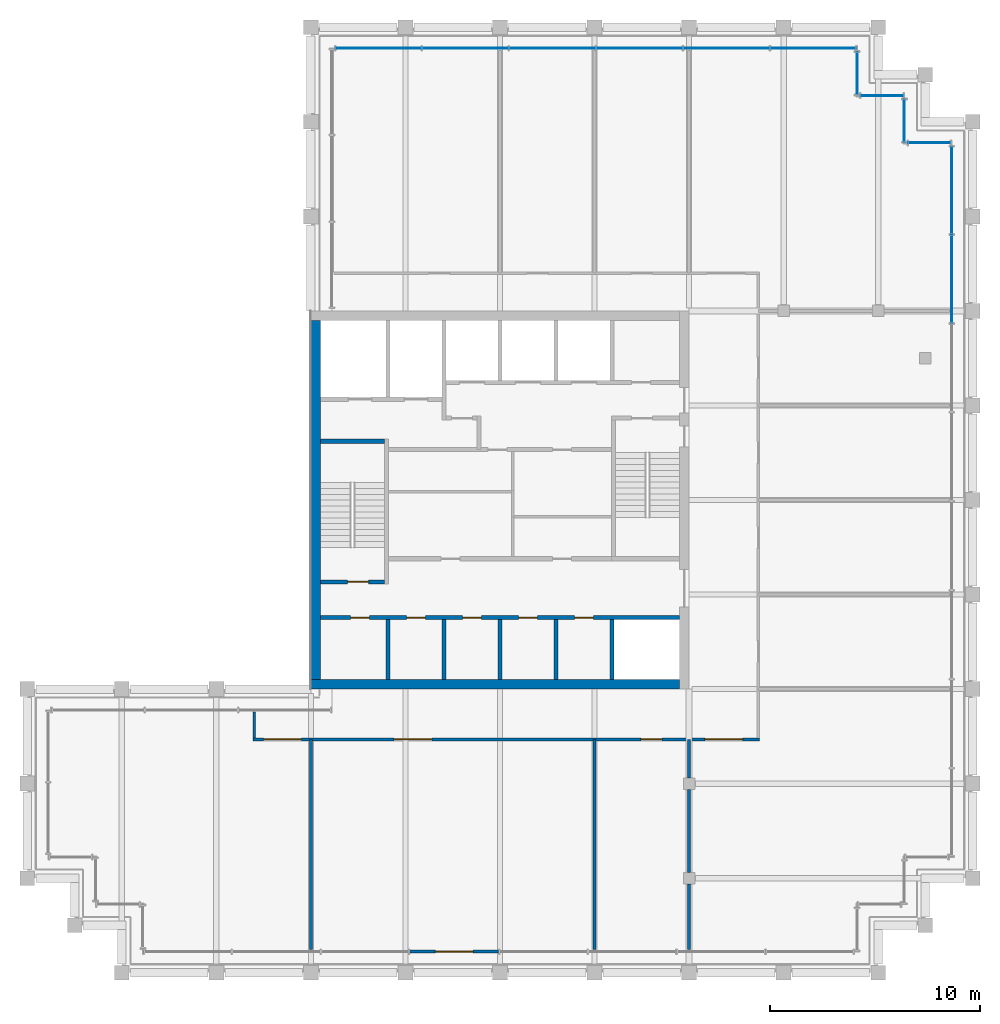
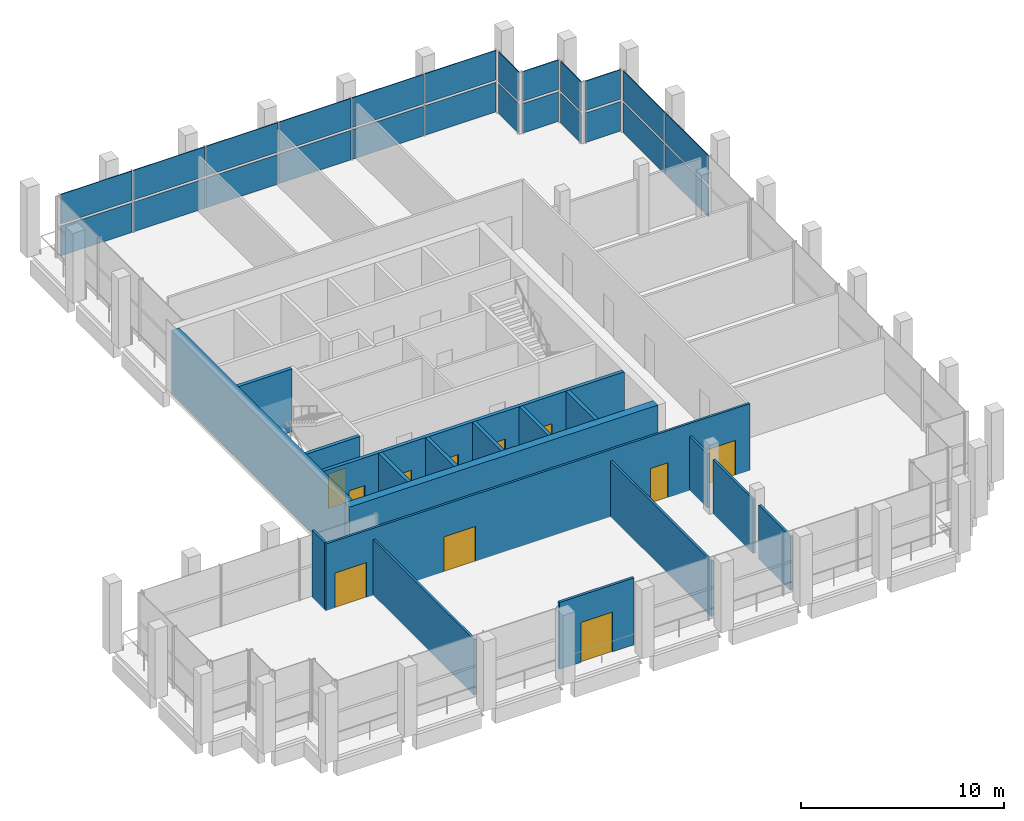
# One storey, part 14 of 17: 24 plates, 18 walls, 11 doors, 11 openings, 6 elements without a shape of their own.
"""IFC4 building model written with IfcOpenShell, lengths in metres."""

from ifc_helpers import new_model, si_unit, direction, frame, frame_2d, origin, origin_2d, place, context, subcontext, project, spatial, rectangle, extrude, material, layer, layer_set, type_object, element, fill, aggregate, save


model = new_model("IFC4")

# Units and contexts
model_context = context("Model", 3, precision=1e-05, world=origin(), true_north=direction((0.0, 1.0)))
body_context = subcontext(model_context, "Body", "Model", "MODEL_VIEW")
ifc_project = project(units=[si_unit("LENGTHUNIT", "METRE"), si_unit("AREAUNIT", "SQUARE_METRE"), si_unit("VOLUMEUNIT", "CUBIC_METRE"), si_unit("PLANEANGLEUNIT", "RADIAN"), si_unit("MASSUNIT", "GRAM", prefix="KILO")], contexts=[model_context])

# Site, building, storey
site_placement = place(None, origin())
site = spatial("IfcSite", under=ifc_project, at=site_placement, CompositionType="ELEMENT")
building_placement = place(site_placement, origin())
building = spatial("IfcBuilding", under=site, at=building_placement, Name="Altepetl Exchange Towers", CompositionType="ELEMENT")
storey_placement = place(building_placement, frame((0.0, 0.0, 251.0)))
storey = spatial("IfcBuildingStorey", under=building, at=storey_placement, Name="L64", CompositionType="ELEMENT", Elevation=251.0)

# Curtain wall, plates
ifc_material_1 = material(Name="Aluminium 6063-T6 glazing", Category="aluminium")
curtain_wall_type = type_object("IfcCurtainWallType", Name="Executive flush glazing system", PredefinedType="NOTDEFINED", material=ifc_material_1)
curtain_wall_1_placement = place(storey_placement, origin())
curtain_wall_1 = element("IfcCurtainWall", 1, at=curtain_wall_1_placement, inside=storey, type_object=curtain_wall_type, Name="CW4 run", PredefinedType="NOTDEFINED")
ifc_material_2 = material(Name="Glass 10-24-10 laminated", Category="glass")
ifc_layer_1 = layer(ifc_material_2, 0.0439453125)
ifc_layer_set_1 = layer_set([ifc_layer_1], Name="Glass 10-24-10 laminated")
plate_type = type_object("IfcPlateType", Name="Glass panel 44 laminated", PredefinedType="CURTAIN_PANEL", material=ifc_layer_set_1)
plate_1_placement = place(storey_placement, frame((71.0, 60.0234375, 0.0), z_axis=(0.0, 0.0, 1.0), x_axis=(0.0, 1.0, 0.0)))
plate_1 = element("IfcPlate", 2, at=plate_1_placement, type_object=plate_type, Name="GP3 panel", PredefinedType="CURTAIN_PANEL", context=body_context, shape_type="SweptSolid", body=[
    extrude(rectangle(XDim=4.17431640625, YDim=0.0439453125, at=origin_2d()), origin(), (0.0, 0.0, 1.0), 1.780029296875),
])
plate_2_placement = place(storey_placement, frame((71.0, 60.0234375, 1.919921875), z_axis=(0.0, 0.0, 1.0), x_axis=(0.0, 1.0, 0.0)))
plate_2 = element("IfcPlate", 3, at=plate_2_placement, type_object=plate_type, Name="GP3 panel", PredefinedType="CURTAIN_PANEL", context=body_context, shape_type="SweptSolid", body=[
    extrude(rectangle(XDim=4.17431640625, YDim=0.0439453125, at=origin_2d()), origin(), (0.0, 0.0, 1.0), 1.780029296875),
])
plate_3_placement = place(storey_placement, frame((71.0, 64.242919921875, 0.0), z_axis=(0.0, 0.0, 1.0), x_axis=(0.0, 1.0, 0.0)))
plate_3 = element("IfcPlate", 4, at=plate_3_placement, type_object=plate_type, Name="GP3 panel", PredefinedType="CURTAIN_PANEL", context=body_context, shape_type="SweptSolid", body=[
    extrude(rectangle(XDim=4.144287109375, YDim=0.0439453125, at=origin_2d()), origin(), (0.0, 0.0, 1.0), 1.780029296875),
])
plate_4_placement = place(storey_placement, frame((71.0, 64.242919921875, 1.919921875), z_axis=(0.0, 0.0, 1.0), x_axis=(0.0, 1.0, 0.0)))
plate_4 = element("IfcPlate", 5, at=plate_4_placement, type_object=plate_type, Name="GP3 panel", PredefinedType="CURTAIN_PANEL", context=body_context, shape_type="SweptSolid", body=[
    extrude(rectangle(XDim=4.144287109375, YDim=0.0439453125, at=origin_2d()), origin(), (0.0, 0.0, 1.0), 1.780029296875),
])
aggregate(curtain_wall_1, [plate_1, plate_2, plate_3, plate_4])

curtain_wall_2_placement = place(storey_placement, origin())
curtain_wall_2 = element("IfcCurtainWall", 6, at=curtain_wall_2_placement, inside=storey, type_object=curtain_wall_type, Name="CW4 run", PredefinedType="NOTDEFINED")
plate_5_placement = place(storey_placement, frame((69.9375, 66.5, 0.0), z_axis=(0.0, 0.0, 1.0), x_axis=(-1.0, 0.0, 0.0)))
plate_5 = element("IfcPlate", 7, at=plate_5_placement, type_object=plate_type, Name="GP3 panel", PredefinedType="CURTAIN_PANEL", context=body_context, shape_type="SweptSolid", body=[
    extrude(rectangle(XDim=2.0048828125, YDim=0.0439453125, at=origin_2d()), origin(), (0.0, 0.0, 1.0), 1.780029296875),
])
plate_6_placement = place(storey_placement, frame((69.9375, 66.5, 1.919921875), z_axis=(0.0, 0.0, 1.0), x_axis=(-1.0, 0.0, 0.0)))
plate_6 = element("IfcPlate", 8, at=plate_6_placement, type_object=plate_type, Name="GP3 panel", PredefinedType="CURTAIN_PANEL", context=body_context, shape_type="SweptSolid", body=[
    extrude(rectangle(XDim=2.0048828125, YDim=0.0439453125, at=origin_2d()), origin(), (0.0, 0.0, 1.0), 1.780029296875),
])
aggregate(curtain_wall_2, [plate_5, plate_6])

curtain_wall_3_placement = place(storey_placement, origin())
curtain_wall_3 = element("IfcCurtainWall", 9, at=curtain_wall_3_placement, inside=storey, type_object=curtain_wall_type, Name="CW4 run", PredefinedType="NOTDEFINED")
plate_7_placement = place(storey_placement, frame((68.75, 67.5625, 0.0), z_axis=(0.0, 0.0, 1.0), x_axis=(0.0, 1.0, 0.0)))
plate_7 = element("IfcPlate", 10, at=plate_7_placement, type_object=plate_type, Name="GP3 panel", PredefinedType="CURTAIN_PANEL", context=body_context, shape_type="SweptSolid", body=[
    extrude(rectangle(XDim=2.0048828125, YDim=0.0439453125, at=origin_2d()), origin(), (0.0, 0.0, 1.0), 1.780029296875),
])
plate_8_placement = place(storey_placement, frame((68.75, 67.5625, 1.919921875), z_axis=(0.0, 0.0, 1.0), x_axis=(0.0, 1.0, 0.0)))
plate_8 = element("IfcPlate", 11, at=plate_8_placement, type_object=plate_type, Name="GP3 panel", PredefinedType="CURTAIN_PANEL", context=body_context, shape_type="SweptSolid", body=[
    extrude(rectangle(XDim=2.0048828125, YDim=0.0439453125, at=origin_2d()), origin(), (0.0, 0.0, 1.0), 1.780029296875),
])
aggregate(curtain_wall_3, [plate_7, plate_8])

curtain_wall_4_placement = place(storey_placement, origin())
curtain_wall_4 = element("IfcCurtainWall", 12, at=curtain_wall_4_placement, inside=storey, type_object=curtain_wall_type, Name="CW4 run", PredefinedType="NOTDEFINED")
plate_9_placement = place(storey_placement, frame((67.6875, 68.75, 0.0), z_axis=(0.0, 0.0, 1.0), x_axis=(-1.0, 0.0, 0.0)))
plate_9 = element("IfcPlate", 13, at=plate_9_placement, type_object=plate_type, Name="GP3 panel", PredefinedType="CURTAIN_PANEL", context=body_context, shape_type="SweptSolid", body=[
    extrude(rectangle(XDim=2.0048828125, YDim=0.0439453125, at=origin_2d()), origin(), (0.0, 0.0, 1.0), 1.780029296875),
])
plate_10_placement = place(storey_placement, frame((67.6875, 68.75, 1.919921875), z_axis=(0.0, 0.0, 1.0), x_axis=(-1.0, 0.0, 0.0)))
plate_10 = element("IfcPlate", 14, at=plate_10_placement, type_object=plate_type, Name="GP3 panel", PredefinedType="CURTAIN_PANEL", context=body_context, shape_type="SweptSolid", body=[
    extrude(rectangle(XDim=2.0048828125, YDim=0.0439453125, at=origin_2d()), origin(), (0.0, 0.0, 1.0), 1.780029296875),
])
aggregate(curtain_wall_4, [plate_9, plate_10])

curtain_wall_5_placement = place(storey_placement, origin())
curtain_wall_5 = element("IfcCurtainWall", 15, at=curtain_wall_5_placement, inside=storey, type_object=curtain_wall_type, Name="CW4 run", PredefinedType="NOTDEFINED")
plate_11_placement = place(storey_placement, frame((66.5, 69.8125, 0.0), z_axis=(0.0, 0.0, 1.0), x_axis=(0.0, 1.0, 0.0)))
plate_11 = element("IfcPlate", 16, at=plate_11_placement, type_object=plate_type, Name="GP3 panel", PredefinedType="CURTAIN_PANEL", context=body_context, shape_type="SweptSolid", body=[
    extrude(rectangle(XDim=2.0048828125, YDim=0.0439453125, at=origin_2d()), origin(), (0.0, 0.0, 1.0), 1.780029296875),
])
plate_12_placement = place(storey_placement, frame((66.5, 69.8125, 1.919921875), z_axis=(0.0, 0.0, 1.0), x_axis=(0.0, 1.0, 0.0)))
plate_12 = element("IfcPlate", 17, at=plate_12_placement, type_object=plate_type, Name="GP3 panel", PredefinedType="CURTAIN_PANEL", context=body_context, shape_type="SweptSolid", body=[
    extrude(rectangle(XDim=2.0048828125, YDim=0.0439453125, at=origin_2d()), origin(), (0.0, 0.0, 1.0), 1.780029296875),
])
aggregate(curtain_wall_5, [plate_11, plate_12])

curtain_wall_6_placement = place(storey_placement, origin())
curtain_wall_6 = element("IfcCurtainWall", 18, at=curtain_wall_6_placement, inside=storey, type_object=curtain_wall_type, Name="CW4 run", PredefinedType="NOTDEFINED")
plate_13_placement = place(storey_placement, frame((64.412109375, 71.0, 0.0), z_axis=(0.0, 0.0, 1.0), x_axis=(-1.0, 0.0, 0.0)))
plate_13 = element("IfcPlate", 19, at=plate_13_placement, type_object=plate_type, Name="GP3 panel", PredefinedType="CURTAIN_PANEL", context=body_context, shape_type="SweptSolid", body=[
    extrude(rectangle(XDim=4.055908203125, YDim=0.0439453125, at=origin_2d()), origin(), (0.0, 0.0, 1.0), 1.780029296875),
])
plate_14_placement = place(storey_placement, frame((64.412109375, 71.0, 1.919921875), z_axis=(0.0, 0.0, 1.0), x_axis=(-1.0, 0.0, 0.0)))
plate_14 = element("IfcPlate", 20, at=plate_14_placement, type_object=plate_type, Name="GP3 panel", PredefinedType="CURTAIN_PANEL", context=body_context, shape_type="SweptSolid", body=[
    extrude(rectangle(XDim=4.055908203125, YDim=0.0439453125, at=origin_2d()), origin(), (0.0, 0.0, 1.0), 1.780029296875),
])
plate_15_placement = place(storey_placement, frame((60.28125, 71.0, 0.0), z_axis=(0.0, 0.0, 1.0), x_axis=(-1.0, 0.0, 0.0)))
plate_15 = element("IfcPlate", 21, at=plate_15_placement, type_object=plate_type, Name="GP3 panel", PredefinedType="CURTAIN_PANEL", context=body_context, shape_type="SweptSolid", body=[
    extrude(rectangle(XDim=4.0859375, YDim=0.0439453125, at=origin_2d()), origin(), (0.0, 0.0, 1.0), 1.780029296875),
])
plate_16_placement = place(storey_placement, frame((60.28125, 71.0, 1.919921875), z_axis=(0.0, 0.0, 1.0), x_axis=(-1.0, 0.0, 0.0)))
plate_16 = element("IfcPlate", 22, at=plate_16_placement, type_object=plate_type, Name="GP3 panel", PredefinedType="CURTAIN_PANEL", context=body_context, shape_type="SweptSolid", body=[
    extrude(rectangle(XDim=4.0859375, YDim=0.0439453125, at=origin_2d()), origin(), (0.0, 0.0, 1.0), 1.780029296875),
])
plate_17_placement = place(storey_placement, frame((56.135498046875, 71.0, 0.0), z_axis=(0.0, 0.0, 1.0), x_axis=(-1.0, 0.0, 0.0)))
plate_17 = element("IfcPlate", 23, at=plate_17_placement, type_object=plate_type, Name="GP3 panel", PredefinedType="CURTAIN_PANEL", context=body_context, shape_type="SweptSolid", body=[
    extrude(rectangle(XDim=4.0859375, YDim=0.0439453125, at=origin_2d()), origin(), (0.0, 0.0, 1.0), 1.780029296875),
])
plate_18_placement = place(storey_placement, frame((56.135498046875, 71.0, 1.919921875), z_axis=(0.0, 0.0, 1.0), x_axis=(-1.0, 0.0, 0.0)))
plate_18 = element("IfcPlate", 24, at=plate_18_placement, type_object=plate_type, Name="GP3 panel", PredefinedType="CURTAIN_PANEL", context=body_context, shape_type="SweptSolid", body=[
    extrude(rectangle(XDim=4.0859375, YDim=0.0439453125, at=origin_2d()), origin(), (0.0, 0.0, 1.0), 1.780029296875),
])
plate_19_placement = place(storey_placement, frame((51.989501953125, 71.0, 0.0), z_axis=(0.0, 0.0, 1.0), x_axis=(-1.0, 0.0, 0.0)))
plate_19 = element("IfcPlate", 25, at=plate_19_placement, type_object=plate_type, Name="GP3 panel", PredefinedType="CURTAIN_PANEL", context=body_context, shape_type="SweptSolid", body=[
    extrude(rectangle(XDim=4.0859375, YDim=0.0439453125, at=origin_2d()), origin(), (0.0, 0.0, 1.0), 1.780029296875),
])
plate_20_placement = place(storey_placement, frame((51.989501953125, 71.0, 1.919921875), z_axis=(0.0, 0.0, 1.0), x_axis=(-1.0, 0.0, 0.0)))
plate_20 = element("IfcPlate", 26, at=plate_20_placement, type_object=plate_type, Name="GP3 panel", PredefinedType="CURTAIN_PANEL", context=body_context, shape_type="SweptSolid", body=[
    extrude(rectangle(XDim=4.0859375, YDim=0.0439453125, at=origin_2d()), origin(), (0.0, 0.0, 1.0), 1.780029296875),
])
plate_21_placement = place(storey_placement, frame((47.84375, 71.0, 0.0), z_axis=(0.0, 0.0, 1.0), x_axis=(-1.0, 0.0, 0.0)))
plate_21 = element("IfcPlate", 27, at=plate_21_placement, type_object=plate_type, Name="GP3 panel", PredefinedType="CURTAIN_PANEL", context=body_context, shape_type="SweptSolid", body=[
    extrude(rectangle(XDim=4.0859375, YDim=0.0439453125, at=origin_2d()), origin(), (0.0, 0.0, 1.0), 1.780029296875),
])
plate_22_placement = place(storey_placement, frame((47.84375, 71.0, 1.919921875), z_axis=(0.0, 0.0, 1.0), x_axis=(-1.0, 0.0, 0.0)))
plate_22 = element("IfcPlate", 28, at=plate_22_placement, type_object=plate_type, Name="GP3 panel", PredefinedType="CURTAIN_PANEL", context=body_context, shape_type="SweptSolid", body=[
    extrude(rectangle(XDim=4.0859375, YDim=0.0439453125, at=origin_2d()), origin(), (0.0, 0.0, 1.0), 1.780029296875),
])
plate_23_placement = place(storey_placement, frame((43.712890625, 71.0, 0.0), z_axis=(0.0, 0.0, 1.0), x_axis=(-1.0, 0.0, 0.0)))
plate_23 = element("IfcPlate", 29, at=plate_23_placement, type_object=plate_type, Name="GP3 panel", PredefinedType="CURTAIN_PANEL", context=body_context, shape_type="SweptSolid", body=[
    extrude(rectangle(XDim=4.055908203125, YDim=0.0439453125, at=origin_2d()), origin(), (0.0, 0.0, 1.0), 1.780029296875),
])
plate_24_placement = place(storey_placement, frame((43.712890625, 71.0, 1.919921875), z_axis=(0.0, 0.0, 1.0), x_axis=(-1.0, 0.0, 0.0)))
plate_24 = element("IfcPlate", 30, at=plate_24_placement, type_object=plate_type, Name="GP3 panel", PredefinedType="CURTAIN_PANEL", context=body_context, shape_type="SweptSolid", body=[
    extrude(rectangle(XDim=4.055908203125, YDim=0.0439453125, at=origin_2d()), origin(), (0.0, 0.0, 1.0), 1.780029296875),
])
aggregate(curtain_wall_6, [plate_13, plate_14, plate_15, plate_16, plate_17, plate_18, plate_19, plate_20, plate_21, plate_22, plate_23, plate_24])

# Walls
ifc_material_3 = material(Name="Concrete C70/85", Category="concrete")
ifc_layer_2 = layer(ifc_material_3, 0.449951171875)
ifc_layer_set_2 = layer_set([ifc_layer_2], Name="Concrete C70/85")
wall_type_1 = type_object("IfcWallType", Name="Core wall 450 reinforced concrete", PredefinedType="SHEAR", material=ifc_layer_set_2)
wall_1_placement = place(storey_placement, frame((40.5, 40.72509765625, 0.0)))
element("IfcWall", 31, at=wall_1_placement, inside=storey, type_object=wall_type_1, Name="wall:A:L64:K-coreS", PredefinedType="SHEAR", context=body_context, shape_type="SweptSolid", body=[
    extrude(rectangle(XDim=17.550048828125, YDim=0.449951171875, at=frame_2d((8.77490234375, 0.0))), origin(), (0.0, 0.0, 1.0), 3.780029296875),
])
ifc_layer_3 = layer(ifc_material_3, 0.449951171875)
ifc_layer_set_3 = layer_set([ifc_layer_3], Name="Concrete C70/85")
wall_type_2 = type_object("IfcWallType", Name="Core wall 450 reinforced concrete external", PredefinedType="SHEAR", material=ifc_layer_set_3)
wall_2_placement = place(storey_placement, frame((40.72509765625, 40.949951171875, 0.0), z_axis=(0.0, 0.0, 1.0), x_axis=(0.0, 1.0, 0.0)))
element("IfcWall", 32, at=wall_2_placement, inside=storey, type_object=wall_type_2, Name="wall:A:L64:K-coreW", PredefinedType="SHEAR", context=body_context, shape_type="SweptSolid", body=[
    extrude(rectangle(XDim=17.10009765625, YDim=0.449951171875, at=frame_2d((8.550048828125, 0.0))), origin(), (0.0, 0.0, 1.0), 3.780029296875),
])

# Wall, opening, door
ifc_material_4 = material(Name="Aluminium composite cladding", Category="aluminium")
ifc_layer_4 = layer(ifc_material_4, 0.14990234375)
ifc_layer_set_4 = layer_set([ifc_layer_4], Name="Aluminium composite cladding")
wall_type_3 = type_object("IfcWallType", Name="Infill wall 150 aluminium panel", PredefinedType="SOLIDWALL", material=ifc_layer_set_4)
wall_3_placement = place(storey_placement, frame((45.203125, 28.0, 0.0)))
wall_3 = element("IfcWall", 33, at=wall_3_placement, inside=storey, type_object=wall_type_3, Name="Loggia door bay wall", PredefinedType="SOLIDWALL", context=body_context, shape_type="SweptSolid", body=[
    extrude(rectangle(XDim=4.234375, YDim=0.14990234375, at=frame_2d((2.1171875, 0.0))), origin(), (0.0, 0.0, 1.0), 4.02490234375),
])
opening_1_placement = place(wall_3_placement, frame((1.21728515625, 0.0, 0.0)))
opening_1 = element("IfcOpeningElement", 34, at=opening_1_placement, cuts=wall_3, Name="Opening L64.A90", PredefinedType="OPENING", context=body_context, shape_type="SweptSolid", body=[
    extrude(rectangle(XDim=1.800048828125, YDim=2.39990234375, at=frame_2d((0.89990234375, 1.199951171875))), frame((0.0, 0.0849609375, 0.0), z_axis=(0.0, -1.0, 0.0), x_axis=(1.0, 0.0, 0.0)), (0.0, 0.0, 1.0), 0.169921875),
])
ifc_material_5 = material(Name="Aluminium 6063-T6 and glass", Category="aluminium")
door_type_1 = type_object("IfcDoorType", Name="Glazed door pair 1800x2400", OperationType="DOUBLE_DOOR_DOUBLE_SWING", PredefinedType="NOTDEFINED", material=ifc_material_5)
door_1_placement = place(opening_1_placement, frame((1.800048828125, 0.0, 0.0), x_axis=(-1.0, 0.0, 0.0)))
door_1 = element("IfcDoor", 35, at=door_1_placement, inside=storey, type_object=door_type_1, Name="Loggia door", OperationType="DOUBLE_DOOR_DOUBLE_SWING", OverallHeight=2.39990234375, OverallWidth=1.800048828125, PredefinedType="NOTDEFINED", context=body_context, shape_type="SweptSolid", body=[
    extrude(rectangle(XDim=1.800048828125, YDim=2.39990234375, at=frame_2d((0.89990234375, 1.199951171875))), frame((0.0, 0.02490234375, 0.0), z_axis=(0.0, -1.0, 0.0), x_axis=(1.0, 0.0, 0.0)), (0.0, 0.0, 1.0), 0.050048828125),
])
fill(opening_1, door_1)

# Wall, openings, doors
ifc_material_6 = material(Name="Gypsum board on steel studs", Category="steel")
ifc_layer_5 = layer(ifc_material_6, 0.125)
ifc_layer_set_5 = layer_set([ifc_layer_5], Name="Gypsum board on steel studs")
wall_type_4 = type_object("IfcWallType", Name="Partition 125 gypsum board on steel studs", PredefinedType="PARTITIONING", material=ifc_layer_set_5)
wall_4_placement = place(storey_placement, frame((37.737548828125, 38.10009765625, 0.0)))
wall_4 = element("IfcWall", 36, at=wall_4_placement, inside=storey, type_object=wall_type_4, Name="wall:A:L64:P01", PredefinedType="PARTITIONING", context=body_context, shape_type="SweptSolid", body=[
    extrude(rectangle(XDim=24.125, YDim=0.125, at=frame_2d((12.0625, 0.0))), origin(), (0.0, 0.0, 1.0), 4.02490234375),
])
opening_2_placement = place(wall_4_placement, frame((0.512451171875, 0.0, 0.0)))
opening_2 = element("IfcOpeningElement", 37, at=opening_2_placement, cuts=wall_4, Name="Opening L64.A01", PredefinedType="OPENING", context=body_context, shape_type="SweptSolid", body=[
    extrude(rectangle(XDim=1.800048828125, YDim=2.10009765625, at=frame_2d((0.89990234375, 1.050048828125))), frame((0.0, 0.072509765625, 0.0), z_axis=(0.0, -1.0, 0.0), x_axis=(1.0, 0.0, 0.0)), (0.0, 0.0, 1.0), 0.14501953125),
])
opening_3_placement = place(wall_4_placement, frame((6.722412109375, 0.0, 0.0)))
opening_3 = element("IfcOpeningElement", 38, at=opening_3_placement, cuts=wall_4, Name="Opening L64.A02", PredefinedType="OPENING", context=body_context, shape_type="SweptSolid", body=[
    extrude(rectangle(XDim=1.800048828125, YDim=2.10009765625, at=frame_2d((0.89990234375, 1.050048828125))), frame((0.0, 0.072509765625, 0.0), z_axis=(0.0, -1.0, 0.0), x_axis=(1.0, 0.0, 0.0)), (0.0, 0.0, 1.0), 0.14501953125),
])
opening_4_placement = place(wall_4_placement, frame((18.467529296875, 0.0, 0.0)))
opening_4 = element("IfcOpeningElement", 39, at=opening_4_placement, cuts=wall_4, Name="Opening L64.A03", PredefinedType="OPENING", context=body_context, shape_type="SweptSolid", body=[
    extrude(rectangle(XDim=1.0, YDim=2.10009765625, at=frame_2d((0.5, 1.050048828125))), frame((0.0, 0.072509765625, 0.0), z_axis=(0.0, -1.0, 0.0), x_axis=(1.0, 0.0, 0.0)), (0.0, 0.0, 1.0), 0.14501953125),
])
opening_5_placement = place(wall_4_placement, frame((21.512451171875, 0.0, 0.0)))
opening_5 = element("IfcOpeningElement", 40, at=opening_5_placement, cuts=wall_4, Name="Opening L64.A04", PredefinedType="OPENING", context=body_context, shape_type="SweptSolid", body=[
    extrude(rectangle(XDim=1.800048828125, YDim=2.10009765625, at=frame_2d((0.89990234375, 1.050048828125))), frame((0.0, 0.072509765625, 0.0), z_axis=(0.0, -1.0, 0.0), x_axis=(1.0, 0.0, 0.0)), (0.0, 0.0, 1.0), 0.14501953125),
])
ifc_material_7 = material(Name="Steel and timber fire door", Category="steel")
door_type_2 = type_object("IfcDoorType", Name="Fire door 1000 x 2100 single leaf", OperationType="SINGLE_SWING_LEFT", PredefinedType="DOOR", material=ifc_material_7)
door_2_placement = place(opening_4_placement, frame((1.0, 0.0, 0.0), x_axis=(-1.0, 0.0, 0.0)))
door_2 = element("IfcDoor", 41, at=door_2_placement, inside=storey, type_object=door_type_2, Name="door:A:L64:03", OperationType="SINGLE_SWING_LEFT", OverallHeight=2.10009765625, OverallWidth=1.0, PredefinedType="DOOR", context=body_context, shape_type="SweptSolid", body=[
    extrude(rectangle(XDim=1.0, YDim=2.10009765625, at=frame_2d((0.5, 1.050048828125))), frame((0.0, 0.02490234375, 0.0), z_axis=(0.0, -1.0, 0.0), x_axis=(1.0, 0.0, 0.0)), (0.0, 0.0, 1.0), 0.050048828125),
])
fill(opening_4, door_2)
door_type_3 = type_object("IfcDoorType", Name="Fire door 1800 x 2100 double leaf", OperationType="DOUBLE_DOOR_SINGLE_SWING", PredefinedType="DOOR", material=ifc_material_7)
door_3_placement = place(opening_2_placement, frame((1.800048828125, 0.0, 0.0), x_axis=(-1.0, 0.0, 0.0)))
door_3 = element("IfcDoor", 42, at=door_3_placement, inside=storey, type_object=door_type_3, Name="door:A:L64:01", OperationType="DOUBLE_DOOR_SINGLE_SWING", OverallHeight=2.10009765625, OverallWidth=1.800048828125, PredefinedType="DOOR", context=body_context, shape_type="SweptSolid", body=[
    extrude(rectangle(XDim=1.800048828125, YDim=2.10009765625, at=frame_2d((0.89990234375, 1.050048828125))), frame((0.0, 0.02490234375, 0.0), z_axis=(0.0, -1.0, 0.0), x_axis=(1.0, 0.0, 0.0)), (0.0, 0.0, 1.0), 0.050048828125),
])
fill(opening_2, door_3)
door_4_placement = place(opening_3_placement, frame((1.800048828125, 0.0, 0.0), x_axis=(-1.0, 0.0, 0.0)))
door_4 = element("IfcDoor", 43, at=door_4_placement, inside=storey, type_object=door_type_3, Name="door:A:L64:02", OperationType="DOUBLE_DOOR_SINGLE_SWING", OverallHeight=2.10009765625, OverallWidth=1.800048828125, PredefinedType="DOOR", context=body_context, shape_type="SweptSolid", body=[
    extrude(rectangle(XDim=1.800048828125, YDim=2.10009765625, at=frame_2d((0.89990234375, 1.050048828125))), frame((0.0, 0.02490234375, 0.0), z_axis=(0.0, -1.0, 0.0), x_axis=(1.0, 0.0, 0.0)), (0.0, 0.0, 1.0), 0.050048828125),
])
fill(opening_3, door_4)
door_5_placement = place(opening_5_placement, frame((1.800048828125, 0.0, 0.0), x_axis=(-1.0, 0.0, 0.0)))
door_5 = element("IfcDoor", 44, at=door_5_placement, inside=storey, type_object=door_type_3, Name="door:A:L64:04", OperationType="DOUBLE_DOOR_SINGLE_SWING", OverallHeight=2.10009765625, OverallWidth=1.800048828125, PredefinedType="DOOR", context=body_context, shape_type="SweptSolid", body=[
    extrude(rectangle(XDim=1.800048828125, YDim=2.10009765625, at=frame_2d((0.89990234375, 1.050048828125))), frame((0.0, 0.02490234375, 0.0), z_axis=(0.0, -1.0, 0.0), x_axis=(1.0, 0.0, 0.0)), (0.0, 0.0, 1.0), 0.050048828125),
])
fill(opening_5, door_5)

# Walls
wall_5_placement = place(storey_placement, frame((37.800048828125, 38.16259765625, 0.0), z_axis=(0.0, 0.0, 1.0), x_axis=(0.0, 1.0, 0.0)))
element("IfcWall", 45, at=wall_5_placement, inside=storey, type_object=wall_type_4, Name="wall:A:L64:P10", PredefinedType="PARTITIONING", context=body_context, shape_type="SweptSolid", body=[
    extrude(rectangle(XDim=1.2373046875, YDim=0.125, at=frame_2d((0.61865234375, 0.0))), origin(), (0.0, 0.0, 1.0), 4.02490234375),
])
for number, where, z_axis, x_axis, name in (
    (46, (40.5, 28.10009765625, 0.0), (0.0, 0.0, 1.0), (0.0, 1.0, 0.0), "wall:A:L64:P11"),
    (47, (54.0, 28.10009765625, 0.0), (0.0, 0.0, 1.0), (0.0, 1.0, 0.0), "wall:A:L64:P13"),
):
    element("IfcWall", number, at=place(storey_placement, frame(where, z_axis=z_axis, x_axis=x_axis)), inside=storey, type_object=wall_type_4, Name=name, PredefinedType="PARTITIONING", context=body_context, shape_type="SweptSolid", body=[
        extrude(rectangle(XDim=10.0, YDim=0.125, at=frame_2d((5.0, 0.0))), origin(), (0.0, 0.0, 1.0), 3.341064453125),
    ])
wall_6_placement = place(storey_placement, frame((58.5, 28.10009765625, 0.0), z_axis=(0.0, 0.0, 1.0), x_axis=(0.0, 1.0, 0.0)))
element("IfcWall", 48, at=wall_6_placement, inside=storey, type_object=wall_type_4, Name="wall:A:L64:P15", PredefinedType="PARTITIONING", context=body_context, shape_type="SweptSolid", body=[
    extrude(rectangle(XDim=3.125, YDim=0.125, at=frame_2d((1.5625, 0.0))), origin(), (0.0, 0.0, 1.0), 3.2509765625),
])
wall_7_placement = place(storey_placement, frame((58.5, 31.77490234375, 0.0), z_axis=(0.0, 0.0, 1.0), x_axis=(0.0, 1.0, 0.0)))
element("IfcWall", 49, at=wall_7_placement, inside=storey, type_object=wall_type_4, Name="wall:A:L64:P16", PredefinedType="PARTITIONING", context=body_context, shape_type="SweptSolid", body=[
    extrude(rectangle(XDim=3.9501953125, YDim=0.125, at=frame_2d((1.97509765625, 0.0))), origin(), (0.0, 0.0, 1.0), 3.2509765625),
])
wall_8_placement = place(storey_placement, frame((58.5, 36.27490234375, 0.0), z_axis=(0.0, 0.0, 1.0), x_axis=(0.0, 1.0, 0.0)))
element("IfcWall", 50, at=wall_8_placement, inside=storey, type_object=wall_type_4, Name="wall:A:L64:P17", PredefinedType="PARTITIONING", context=body_context, shape_type="SweptSolid", body=[
    extrude(rectangle(XDim=1.8251953125, YDim=0.125, at=frame_2d((0.91259765625, 0.0))), origin(), (0.0, 0.0, 1.0), 3.2509765625),
])
ifc_material_8 = material(Name="Concrete C40/50", Category="concrete")
ifc_layer_6 = layer(ifc_material_8, 0.199951171875)
ifc_layer_set_6 = layer_set([ifc_layer_6], Name="Concrete C40/50")
wall_type_5 = type_object("IfcWallType", Name="Shaft wall 200 reinforced concrete", PredefinedType="SHEAR", material=ifc_layer_set_6)
wall_9_placement = place(storey_placement, frame((54.833251953125, 40.949951171875, 0.0), z_axis=(0.0, 0.0, 1.0), x_axis=(0.0, 1.0, 0.0)))
element("IfcWall", 51, at=wall_9_placement, inside=storey, type_object=wall_type_5, Name="wall:A:L64:K-divS5", PredefinedType="SHEAR", context=body_context, shape_type="SweptSolid", body=[
    extrude(rectangle(XDim=2.85009765625, YDim=0.199951171875, at=frame_2d((1.425048828125, 0.0))), origin(), (0.0, 0.0, 1.0), 3.780029296875),
])

# Wall, openings, doors
wall_10_placement = place(storey_placement, frame((40.949951171875, 43.89990234375, 0.0)))
wall_10 = element("IfcWall", 52, at=wall_10_placement, inside=storey, type_object=wall_type_5, Name="wall:A:L64:K-frontS", PredefinedType="SHEAR", context=body_context, shape_type="SweptSolid", body=[
    extrude(rectangle(XDim=17.10009765625, YDim=0.199951171875, at=frame_2d((8.550048828125, 0.0))), origin(), (0.0, 0.0, 1.0), 3.780029296875),
])
opening_6_placement = place(wall_10_placement, frame((1.433349609375, 0.0, 0.0)))
opening_6 = element("IfcOpeningElement", 53, at=opening_6_placement, cuts=wall_10, Name="Opening L64.A67", PredefinedType="OPENING", context=body_context, shape_type="SweptSolid", body=[
    extrude(rectangle(XDim=0.89990234375, YDim=2.10009765625, at=frame_2d((0.449951171875, 1.050048828125))), frame((0.0, 0.10986328125, 0.0), z_axis=(0.0, -1.0, 0.0), x_axis=(1.0, 0.0, 0.0)), (0.0, 0.0, 1.0), 0.219970703125),
])
opening_7_placement = place(wall_10_placement, frame((4.10009765625, 0.0, 0.0)))
opening_7 = element("IfcOpeningElement", 54, at=opening_7_placement, cuts=wall_10, Name="Opening L64.A68", PredefinedType="OPENING", context=body_context, shape_type="SweptSolid", body=[
    extrude(rectangle(XDim=0.89990234375, YDim=2.10009765625, at=frame_2d((0.449951171875, 1.050048828125))), frame((0.0, 0.10986328125, 0.0), z_axis=(0.0, -1.0, 0.0), x_axis=(1.0, 0.0, 0.0)), (0.0, 0.0, 1.0), 0.219970703125),
])
opening_8_placement = place(wall_10_placement, frame((6.7666015625, 0.0, 0.0)))
opening_8 = element("IfcOpeningElement", 55, at=opening_8_placement, cuts=wall_10, Name="Opening L64.A69", PredefinedType="OPENING", context=body_context, shape_type="SweptSolid", body=[
    extrude(rectangle(XDim=0.89990234375, YDim=2.10009765625, at=frame_2d((0.449951171875, 1.050048828125))), frame((0.0, 0.10986328125, 0.0), z_axis=(0.0, -1.0, 0.0), x_axis=(1.0, 0.0, 0.0)), (0.0, 0.0, 1.0), 0.219970703125),
])
opening_9_placement = place(wall_10_placement, frame((9.433349609375, 0.0, 0.0)))
opening_9 = element("IfcOpeningElement", 56, at=opening_9_placement, cuts=wall_10, Name="Opening L64.A70", PredefinedType="OPENING", context=body_context, shape_type="SweptSolid", body=[
    extrude(rectangle(XDim=0.89990234375, YDim=2.10009765625, at=frame_2d((0.449951171875, 1.050048828125))), frame((0.0, 0.10986328125, 0.0), z_axis=(0.0, -1.0, 0.0), x_axis=(1.0, 0.0, 0.0)), (0.0, 0.0, 1.0), 0.219970703125),
])
opening_10_placement = place(wall_10_placement, frame((12.10009765625, 0.0, 0.0)))
opening_10 = element("IfcOpeningElement", 57, at=opening_10_placement, cuts=wall_10, Name="Opening L64.A71", PredefinedType="OPENING", context=body_context, shape_type="SweptSolid", body=[
    extrude(rectangle(XDim=0.89990234375, YDim=2.10009765625, at=frame_2d((0.449951171875, 1.050048828125))), frame((0.0, 0.10986328125, 0.0), z_axis=(0.0, -1.0, 0.0), x_axis=(1.0, 0.0, 0.0)), (0.0, 0.0, 1.0), 0.219970703125),
])
door_type_4 = type_object("IfcDoorType", Name="Fire door 900 x 2100 service room", OperationType="SINGLE_SWING_LEFT", PredefinedType="DOOR", material=ifc_material_7)
door_6_placement = place(opening_6_placement, frame((0.89990234375, 0.0, 0.0), x_axis=(-1.0, 0.0, 0.0)))
door_6 = element("IfcDoor", 58, at=door_6_placement, inside=storey, type_object=door_type_4, Name="door:A:L64:K-dslotS0", OperationType="SINGLE_SWING_LEFT", OverallHeight=2.10009765625, OverallWidth=0.89990234375, PredefinedType="DOOR", context=body_context, shape_type="SweptSolid", body=[
    extrude(rectangle(XDim=0.89990234375, YDim=2.10009765625, at=frame_2d((0.449951171875, 1.050048828125))), frame((0.0, 0.02490234375, 0.0), z_axis=(0.0, -1.0, 0.0), x_axis=(1.0, 0.0, 0.0)), (0.0, 0.0, 1.0), 0.050048828125),
])
fill(opening_6, door_6)
door_7_placement = place(opening_7_placement, frame((0.89990234375, 0.0, 0.0), x_axis=(-1.0, 0.0, 0.0)))
door_7 = element("IfcDoor", 59, at=door_7_placement, inside=storey, type_object=door_type_4, Name="door:A:L64:K-dslotS1", OperationType="SINGLE_SWING_LEFT", OverallHeight=2.10009765625, OverallWidth=0.89990234375, PredefinedType="DOOR", context=body_context, shape_type="SweptSolid", body=[
    extrude(rectangle(XDim=0.89990234375, YDim=2.10009765625, at=frame_2d((0.449951171875, 1.050048828125))), frame((0.0, 0.02490234375, 0.0), z_axis=(0.0, -1.0, 0.0), x_axis=(1.0, 0.0, 0.0)), (0.0, 0.0, 1.0), 0.050048828125),
])
fill(opening_7, door_7)
door_8_placement = place(opening_8_placement, frame((0.89990234375, 0.0, 0.0), x_axis=(-1.0, 0.0, 0.0)))
door_8 = element("IfcDoor", 60, at=door_8_placement, inside=storey, type_object=door_type_4, Name="door:A:L64:K-dslotS2", OperationType="SINGLE_SWING_LEFT", OverallHeight=2.10009765625, OverallWidth=0.89990234375, PredefinedType="DOOR", context=body_context, shape_type="SweptSolid", body=[
    extrude(rectangle(XDim=0.89990234375, YDim=2.10009765625, at=frame_2d((0.449951171875, 1.050048828125))), frame((0.0, 0.02490234375, 0.0), z_axis=(0.0, -1.0, 0.0), x_axis=(1.0, 0.0, 0.0)), (0.0, 0.0, 1.0), 0.050048828125),
])
fill(opening_8, door_8)
door_9_placement = place(opening_9_placement, frame((0.89990234375, 0.0, 0.0), x_axis=(-1.0, 0.0, 0.0)))
door_9 = element("IfcDoor", 61, at=door_9_placement, inside=storey, type_object=door_type_4, Name="door:A:L64:K-dslotS3", OperationType="SINGLE_SWING_LEFT", OverallHeight=2.10009765625, OverallWidth=0.89990234375, PredefinedType="DOOR", context=body_context, shape_type="SweptSolid", body=[
    extrude(rectangle(XDim=0.89990234375, YDim=2.10009765625, at=frame_2d((0.449951171875, 1.050048828125))), frame((0.0, 0.02490234375, 0.0), z_axis=(0.0, -1.0, 0.0), x_axis=(1.0, 0.0, 0.0)), (0.0, 0.0, 1.0), 0.050048828125),
])
fill(opening_9, door_9)
door_10_placement = place(opening_10_placement, frame((0.89990234375, 0.0, 0.0), x_axis=(-1.0, 0.0, 0.0)))
door_10 = element("IfcDoor", 62, at=door_10_placement, inside=storey, type_object=door_type_4, Name="door:A:L64:K-dslotS4", OperationType="SINGLE_SWING_LEFT", OverallHeight=2.10009765625, OverallWidth=0.89990234375, PredefinedType="DOOR", context=body_context, shape_type="SweptSolid", body=[
    extrude(rectangle(XDim=0.89990234375, YDim=2.10009765625, at=frame_2d((0.449951171875, 1.050048828125))), frame((0.0, 0.02490234375, 0.0), z_axis=(0.0, -1.0, 0.0), x_axis=(1.0, 0.0, 0.0)), (0.0, 0.0, 1.0), 0.050048828125),
])
fill(opening_10, door_10)

# Walls
ifc_layer_7 = layer(ifc_material_3, 0.199951171875)
ifc_layer_set_7 = layer_set([ifc_layer_7], Name="Concrete C70/85")
wall_type_6 = type_object("IfcWallType", Name="Shear wall 200 reinforced concrete", PredefinedType="SHEAR", material=ifc_layer_set_7)
for number, where, z_axis, x_axis, name in (
    (63, (44.166748046875, 40.949951171875, 0.0), (0.0, 0.0, 1.0), (0.0, 1.0, 0.0), "wall:A:L64:K-divS1"),
    (64, (46.833251953125, 40.949951171875, 0.0), (0.0, 0.0, 1.0), (0.0, 1.0, 0.0), "wall:A:L64:K-divS2"),
    (65, (49.5, 40.949951171875, 0.0), (0.0, 0.0, 1.0), (0.0, 1.0, 0.0), "wall:A:L64:K-divS3"),
    (66, (52.166748046875, 40.949951171875, 0.0), (0.0, 0.0, 1.0), (0.0, 1.0, 0.0), "wall:A:L64:K-divS4"),
):
    element("IfcWall", number, at=place(storey_placement, frame(where, z_axis=z_axis, x_axis=x_axis)), inside=storey, type_object=wall_type_6, Name=name, PredefinedType="SHEAR", context=body_context, shape_type="SweptSolid", body=[
        extrude(rectangle(XDim=2.85009765625, YDim=0.199951171875, at=frame_2d((1.425048828125, 0.0))), origin(), (0.0, 0.0, 1.0), 3.780029296875),
    ])
ifc_layer_8 = layer(ifc_material_8, 0.199951171875)
ifc_layer_set_8 = layer_set([ifc_layer_8], Name="Concrete C40/50")
wall_type_7 = type_object("IfcWallType", Name="Stair wall 200 reinforced concrete", PredefinedType="SHEAR", material=ifc_layer_set_8)
wall_11_placement = place(storey_placement, frame((40.949951171875, 52.300048828125, 0.0)))
element("IfcWall", 67, at=wall_11_placement, inside=storey, type_object=wall_type_7, Name="wall:A:L64:K-stS1N", PredefinedType="SHEAR", context=body_context, shape_type="SweptSolid", body=[
    extrude(rectangle(XDim=3.050048828125, YDim=0.199951171875, at=frame_2d((1.52490234375, 0.0))), origin(), (0.0, 0.0, 1.0), 3.780029296875),
])

# Wall, opening, door
wall_12_placement = place(storey_placement, frame((40.949951171875, 45.60009765625, 0.0)))
wall_12 = element("IfcWall", 68, at=wall_12_placement, inside=storey, type_object=wall_type_7, Name="wall:A:L64:K-stS1S", PredefinedType="SHEAR", context=body_context, shape_type="SweptSolid", body=[
    extrude(rectangle(XDim=3.050048828125, YDim=0.199951171875, at=frame_2d((1.52490234375, 0.0))), origin(), (0.0, 0.0, 1.0), 3.780029296875),
])
opening_11_placement = place(wall_12_placement, frame((1.300048828125, 0.0, 0.0)))
opening_11 = element("IfcOpeningElement", 69, at=opening_11_placement, cuts=wall_12, Name="Opening L64.A62", PredefinedType="OPENING", context=body_context, shape_type="SweptSolid", body=[
    extrude(rectangle(XDim=1.0, YDim=2.10009765625, at=frame_2d((0.5, 1.050048828125))), frame((0.0, 0.10986328125, 0.0), z_axis=(0.0, -1.0, 0.0), x_axis=(1.0, 0.0, 0.0)), (0.0, 0.0, 1.0), 0.219970703125),
])
door_type_5 = type_object("IfcDoorType", Name="Fire door 1000 x 2100 stair and lobby", OperationType="SINGLE_SWING_LEFT", PredefinedType="DOOR", material=ifc_material_7)
door_11_placement = place(opening_11_placement, origin())
door_11 = element("IfcDoor", 70, at=door_11_placement, inside=storey, type_object=door_type_5, Name="door:A:L64:K-dS1in", OperationType="SINGLE_SWING_RIGHT", OverallHeight=2.10009765625, OverallWidth=1.0, PredefinedType="DOOR", context=body_context, shape_type="SweptSolid", body=[
    extrude(rectangle(XDim=1.0, YDim=2.10009765625, at=frame_2d((0.5, 1.050048828125))), frame((0.0, 0.02490234375, 0.0), z_axis=(0.0, -1.0, 0.0), x_axis=(1.0, 0.0, 0.0)), (0.0, 0.0, 1.0), 0.050048828125),
])
fill(opening_11, door_11)

save(model, "model.ifc")
